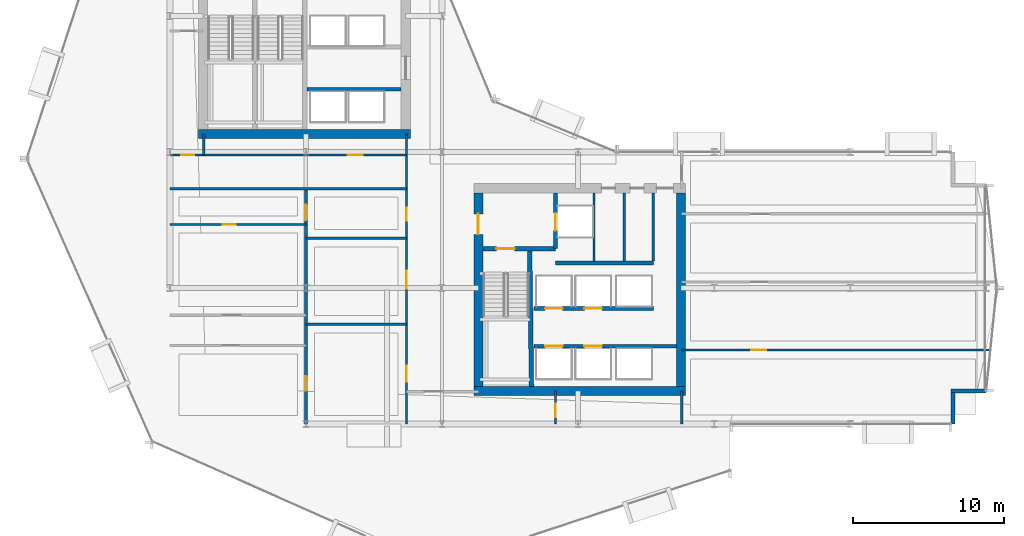
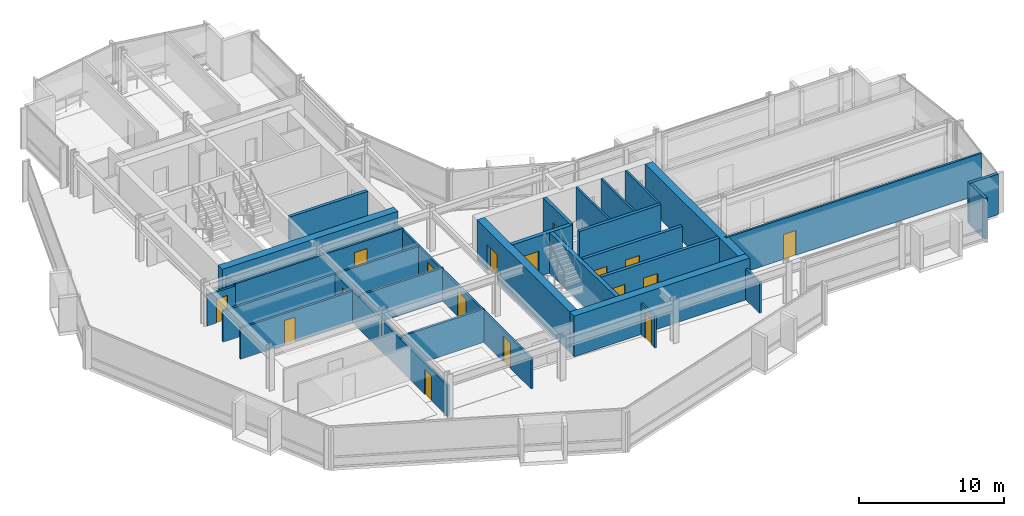
# One storey, part 27 of 34: 28 walls, 17 doors, 17 openings.
"""IFC4 building model written with IfcOpenShell, lengths in metres."""

from ifc_helpers import new_model, si_unit, direction, frame, frame_2d, origin, place, context, subcontext, project, spatial, rectangle, extrude, material, layer, layer_set, type_object, element, fill, save


model = new_model("IFC4")

# Units and contexts
model_context = context("Model", 3, precision=1e-05, world=origin(), true_north=direction((0.0, 1.0)))
body_context = subcontext(model_context, "Body", "Model", "MODEL_VIEW")
ifc_project = project(units=[si_unit("LENGTHUNIT", "METRE"), si_unit("AREAUNIT", "SQUARE_METRE"), si_unit("VOLUMEUNIT", "CUBIC_METRE"), si_unit("PLANEANGLEUNIT", "RADIAN"), si_unit("MASSUNIT", "GRAM", prefix="KILO")], contexts=[model_context])

# Site, building, storey
site_placement = place(None, origin())
site = spatial("IfcSite", under=ifc_project, at=site_placement, CompositionType="ELEMENT")
building_placement = place(site_placement, origin())
building = spatial("IfcBuilding", under=site, at=building_placement, Name="Solvaryn Broadcast Tower", CompositionType="ELEMENT")
storey_placement = place(building_placement, frame((0.0, 0.0, 92.800048828125)))
storey = spatial("IfcBuildingStorey", under=building, at=storey_placement, Name="L22", CompositionType="ELEMENT", Elevation=92.800048828125)

# Walls
ifc_material_1 = material(Name="Concrete f'c 70 MPa", Category="concrete")
ifc_layer_1 = layer(ifc_material_1, 0.60009765625)
ifc_layer_set_1 = layer_set([ifc_layer_1], Name="CW-SHEAR-600")
wall_type_1 = type_object("IfcWallType", Name="CW-SHEAR-600", PredefinedType="SHEAR", material=ifc_layer_set_1)
for number, where, z_axis, x_axis, name in (
    (1, (10.89990234375, 28.199951171875, 0.0), (0.0, 0.0, 1.0), (1.0, 0.0, 0.0), "L22 West Core South Shear Wall"),
    (2, (29.10009765625, 11.199951171875, 0.0), (0.0, 0.0, 1.0), (1.0, 0.0, 0.0), "L22 East Core South Shear Wall"),
):
    element("IfcWall", number, at=place(storey_placement, frame(where, z_axis=z_axis, x_axis=x_axis)), inside=storey, type_object=wall_type_1, Name=name, PredefinedType="SHEAR", context=body_context, shape_type="SweptSolid", body=[
        extrude(rectangle(XDim=14.0, YDim=0.60009765625, at=frame_2d((7.0, 0.0))), origin(), (0.0, 0.0, 1.0), 3.419921875),
    ])

# Wall, opening, door
wall_1_placement = place(storey_placement, frame((29.39990234375, 24.300048828125, 0.0), z_axis=(0.0, 0.0, 1.0), x_axis=(0.0, -1.0, 0.0)))
wall_1 = element("IfcWall", 3, at=wall_1_placement, inside=storey, type_object=wall_type_1, Name="L22 East Core West Shear Wall", PredefinedType="SHEAR", context=body_context, shape_type="SweptSolid", body=[
    extrude(rectangle(XDim=12.800048828125, YDim=0.60009765625, at=frame_2d((6.39990234375, 0.0))), origin(), (0.0, 0.0, 1.0), 3.419921875),
])
opening_1_placement = place(wall_1_placement, frame((1.39990234375, 0.0, 0.0)))
opening_1 = element("IfcOpeningElement", 4, at=opening_1_placement, cuts=wall_1, Name="Opening FD90B", PredefinedType="OPENING", context=body_context, shape_type="SweptSolid", body=[
    extrude(rectangle(XDim=1.35009765625, YDim=2.14990234375, at=frame_2d((0.675048828125, 1.074951171875))), frame((0.0, 0.31005859375, 0.0), z_axis=(0.0, -1.0, 0.0), x_axis=(1.0, 0.0, 0.0)), (0.0, 0.0, 1.0), 0.6201171875),
])
ifc_material_2 = material(Name="Flush Acoustic Steel and Timber Door Assembly", Category="steel")
door_type_1 = type_object("IfcDoorType", Name="FD90-LOBBY-1350X2150", OperationType="NOTDEFINED", PredefinedType="DOOR", material=ifc_material_2)
door_1_placement = place(opening_1_placement, origin())
door_1 = element("IfcDoor", 5, at=door_1_placement, inside=storey, type_object=door_type_1, Name="L22 East FSAE Lobby Door", OperationType="SINGLE_SWING_RIGHT", OverallHeight=2.14990234375, OverallWidth=1.35009765625, PredefinedType="DOOR", context=body_context, shape_type="SweptSolid", body=[
    extrude(rectangle(XDim=1.35009765625, YDim=2.14990234375, at=frame_2d((0.675048828125, 1.074951171875))), frame((0.0, 0.02490234375, 0.0), z_axis=(0.0, -1.0, 0.0), x_axis=(1.0, 0.0, 0.0)), (0.0, 0.0, 1.0), 0.050048828125),
])
fill(opening_1, door_1)

# Walls
wall_2_placement = place(storey_placement, frame((42.800048828125, 11.5, 0.0), z_axis=(0.0, 0.0, 1.0), x_axis=(0.0, 1.0, 0.0)))
element("IfcWall", 6, at=wall_2_placement, inside=storey, type_object=wall_type_1, Name="L22 East Core East Shear Wall", PredefinedType="SHEAR", context=body_context, shape_type="SweptSolid", body=[
    extrude(rectangle(XDim=12.800048828125, YDim=0.60009765625, at=frame_2d((6.39990234375, 0.0))), origin(), (0.0, 0.0, 1.0), 3.419921875),
])
ifc_material_3 = material(Name="Concrete f'c 50 MPa", Category="concrete")
ifc_layer_2 = layer(ifc_material_3, 0.260009765625)
ifc_layer_set_2 = layer_set([ifc_layer_2], Name="EW-PIER-260")
wall_type_2 = type_object("IfcWallType", Name="EW-PIER-260", PredefinedType="SOLIDWALL", material=ifc_layer_set_2)
wall_3_placement = place(storey_placement, frame((60.800048828125, 9.0, 0.0), z_axis=(0.0, 0.0, 1.0), x_axis=(0.0, 1.0, 0.0)))
element("IfcWall", 7, at=wall_3_placement, inside=storey, type_object=wall_type_2, Name="L22 Notched Corner Pier Wall NSE1", PredefinedType="SOLIDWALL", context=body_context, shape_type="SweptSolid", body=[
    extrude(rectangle(XDim=2.080078125, YDim=0.260009765625, at=frame_2d((1.0400390625, 0.0))), origin(), (0.0, 0.0, 1.0), 3.419921875),
])
wall_4_placement = place(storey_placement, frame((60.679931640625, 11.199951171875, 0.0), z_axis=(0.0, 0.0, 1.0), x_axis=(1.0, 0.0, 0.0)))
element("IfcWall", 8, at=wall_4_placement, inside=storey, type_object=wall_type_2, Name="L22 Notched Corner Pier Wall NSE2", PredefinedType="SOLIDWALL", context=body_context, shape_type="SweptSolid", body=[
    extrude(rectangle(XDim=2.320068359375, YDim=0.260009765625, at=frame_2d((1.16015625, 0.0))), origin(), (0.0, 0.0, 1.0), 3.419921875),
])
ifc_material_4 = material(Name="Metal-Stud Service Core Partition")
ifc_layer_3 = layer(ifc_material_4, 0.14990234375)
ifc_layer_set_3 = layer_set([ifc_layer_3], Name="IW-PART-150")
wall_type_3 = type_object("IfcWallType", Name="IW-PART-150", PredefinedType="PARTITIONING", material=ifc_layer_set_3)
for number, where, z_axis, x_axis, name in (
    (9, (37.050048828125, 19.780029296875, 0.0), (0.0, 0.0, 1.0), (0.0, 1.0, 0.0), "L22 Interior Partition IW-L22-CE-FL2E"),
    (10, (39.050048828125, 19.780029296875, 0.0), (0.0, 0.0, 1.0), (0.0, 1.0, 0.0), "L22 Interior Partition IW-L22-CE-V1"),
    (11, (40.97998046875, 19.780029296875, 0.0), (0.0, 0.0, 1.0), (0.0, 1.0, 0.0), "L22 Interior Partition IW-L22-CE-V3"),
):
    element("IfcWall", number, at=place(storey_placement, frame(where, z_axis=z_axis, x_axis=x_axis)), inside=storey, type_object=wall_type_3, Name=name, PredefinedType="PARTITIONING", context=body_context, shape_type="SweptSolid", body=[
        extrude(rectangle(XDim=4.52001953125, YDim=0.14990234375, at=frame_2d((2.260009765625, 0.0))), origin(), (0.0, 0.0, 1.0), 3.419921875),
    ])

# Wall, opening, door
wall_5_placement = place(storey_placement, frame((34.5, 9.0, 0.0), z_axis=(0.0, 0.0, 1.0), x_axis=(0.0, 1.0, 0.0)))
wall_5 = element("IfcWall", 12, at=wall_5_placement, inside=storey, type_object=wall_type_3, Name="L22 Interior Partition IW-L22-SC-V", PredefinedType="PARTITIONING", context=body_context, shape_type="SweptSolid", body=[
    extrude(rectangle(XDim=2.199951171875, YDim=0.14990234375, at=frame_2d((1.10009765625, 0.0))), origin(), (0.0, 0.0, 1.0), 2.626953125),
])
opening_2_placement = place(wall_5_placement, frame((0.449951171875, 0.0, 0.0)))
opening_2 = element("IfcOpeningElement", 13, at=opening_2_placement, cuts=wall_5, Name="Opening FD60C", PredefinedType="OPENING", context=body_context, shape_type="SweptSolid", body=[
    extrude(rectangle(XDim=0.89990234375, YDim=2.10009765625, at=frame_2d((0.449951171875, 1.050048828125))), frame((0.0, 0.0849609375, 0.0), z_axis=(0.0, -1.0, 0.0), x_axis=(1.0, 0.0, 0.0)), (0.0, 0.0, 1.0), 0.169921875),
])
ifc_material_5 = material(Name="Flush Acoustic Steel and Timber Door Assembly", Category="steel")
door_type_2 = type_object("IfcDoorType", Name="FD60-SERV-900X2100", OperationType="NOTDEFINED", PredefinedType="DOOR", material=ifc_material_5)
door_2_placement = place(opening_2_placement, origin())
door_2 = element("IfcDoor", 14, at=door_2_placement, inside=storey, type_object=door_type_2, Name="L22 Door DR-L22-SC1", OperationType="SINGLE_SWING_LEFT", OverallHeight=2.10009765625, OverallWidth=0.89990234375, PredefinedType="DOOR", context=body_context, shape_type="SweptSolid", body=[
    extrude(rectangle(XDim=0.89990234375, YDim=2.10009765625, at=frame_2d((0.449951171875, 1.050048828125))), frame((0.0, 0.02490234375, 0.0), z_axis=(0.0, -1.0, 0.0), x_axis=(1.0, 0.0, 0.0)), (0.0, 0.0, 1.0), 0.050048828125),
])
fill(opening_2, door_2)

ifc_material_6 = material(Name="Metal-Stud Gypsum Office Partition")
ifc_layer_4 = layer(ifc_material_6, 0.159912109375)
ifc_layer_set_4 = layer_set([ifc_layer_4], Name="IW-PART-160")
wall_type_4 = type_object("IfcWallType", Name="IW-PART-160", PredefinedType="PARTITIONING", material=ifc_layer_set_4)
wall_6_placement = place(storey_placement, frame((9.0, 26.800048828125, 0.0), z_axis=(0.0, 0.0, 1.0), x_axis=(1.0, 0.0, 0.0)))
wall_6 = element("IfcWall", 15, at=wall_6_placement, inside=storey, type_object=wall_type_4, Name="L22 Interior Partition IW-L22-WM-S", PredefinedType="PARTITIONING", context=body_context, shape_type="SweptSolid", body=[
    extrude(rectangle(XDim=2.25, YDim=0.159912109375, at=frame_2d((1.125, 0.0))), origin(), (0.0, 0.0, 1.0), 2.626953125),
])
opening_3_placement = place(wall_6_placement, frame((0.75, 0.0, 0.0)))
opening_3 = element("IfcOpeningElement", 16, at=opening_3_placement, cuts=wall_6, Name="Opening ID07", PredefinedType="OPENING", context=body_context, shape_type="SweptSolid", body=[
    extrude(rectangle(XDim=0.860107421875, YDim=2.050048828125, at=frame_2d((0.43017578125, 1.02490234375))), frame((0.0, 0.090087890625, 0.0), z_axis=(0.0, -1.0, 0.0), x_axis=(1.0, 0.0, 0.0)), (0.0, 0.0, 1.0), 0.179931640625),
])
ifc_material_7 = material(Name="Flush Acoustic Steel and Timber Door Assembly", Category="steel")
door_type_3 = type_object("IfcDoorType", Name="ID-07-860X2050", OperationType="NOTDEFINED", PredefinedType="DOOR", material=ifc_material_7)
door_3_placement = place(opening_3_placement, origin())
door_3 = element("IfcDoor", 17, at=door_3_placement, inside=storey, type_object=door_type_3, Name="L22 Door DR-L22-WM0", OperationType="SINGLE_SWING_RIGHT", OverallHeight=2.050048828125, OverallWidth=0.860107421875, PredefinedType="DOOR", context=body_context, shape_type="SweptSolid", body=[
    extrude(rectangle(XDim=0.860107421875, YDim=2.050048828125, at=frame_2d((0.43017578125, 1.02490234375))), frame((0.0, 0.02490234375, 0.0), z_axis=(0.0, -1.0, 0.0), x_axis=(1.0, 0.0, 0.0)), (0.0, 0.0, 1.0), 0.050048828125),
])
fill(opening_3, door_3)

# Wall, openings, doors
wall_7_placement = place(storey_placement, frame((24.64990234375, 9.0, 0.0), z_axis=(0.0, 0.0, 1.0), x_axis=(0.0, 1.0, 0.0)))
wall_7 = element("IfcWall", 18, at=wall_7_placement, inside=storey, type_object=wall_type_4, Name="L22 Interior Partition IW-L22-SW-EB", PredefinedType="PARTITIONING", context=body_context, shape_type="SweptSolid", body=[
    extrude(rectangle(XDim=19.199951171875, YDim=0.159912109375, at=frame_2d((9.60009765625, 0.0))), origin(), (0.0, 0.0, 1.0), 2.626953125),
])
opening_4_placement = place(wall_7_placement, frame((2.800048828125, 0.0, 0.0)))
opening_4 = element("IfcOpeningElement", 19, at=opening_4_placement, cuts=wall_7, Name="Opening ID03", PredefinedType="OPENING", context=body_context, shape_type="SweptSolid", body=[
    extrude(rectangle(XDim=1.050048828125, YDim=2.14990234375, at=frame_2d((0.52490234375, 1.074951171875))), frame((0.0, 0.090087890625, 0.0), z_axis=(0.0, -1.0, 0.0), x_axis=(1.0, 0.0, 0.0)), (0.0, 0.0, 1.0), 0.179931640625),
])
opening_5_placement = place(wall_7_placement, frame((8.949951171875, 0.0, 0.0)))
opening_5 = element("IfcOpeningElement", 20, at=opening_5_placement, cuts=wall_7, Name="Opening ID04", PredefinedType="OPENING", context=body_context, shape_type="SweptSolid", body=[
    extrude(rectangle(XDim=1.199951171875, YDim=2.14990234375, at=frame_2d((0.60009765625, 1.074951171875))), frame((0.0, 0.090087890625, 0.0), z_axis=(0.0, -1.0, 0.0), x_axis=(1.0, 0.0, 0.0)), (0.0, 0.0, 1.0), 0.179931640625),
])
opening_6_placement = place(wall_7_placement, frame((13.43994140625, 0.0, 0.0)))
opening_6 = element("IfcOpeningElement", 21, at=opening_6_placement, cuts=wall_7, Name="Opening ID07", PredefinedType="OPENING", context=body_context, shape_type="SweptSolid", body=[
    extrude(rectangle(XDim=0.860107421875, YDim=2.050048828125, at=frame_2d((0.43017578125, 1.02490234375))), frame((0.0, 0.090087890625, 0.0), z_axis=(0.0, -1.0, 0.0), x_axis=(1.0, 0.0, 0.0)), (0.0, 0.0, 1.0), 0.179931640625),
])
ifc_material_8 = material(Name="Flush Acoustic Steel and Timber Door Assembly", Category="steel")
door_type_4 = type_object("IfcDoorType", Name="ID-03-1050X2150", OperationType="NOTDEFINED", PredefinedType="DOOR", material=ifc_material_8)
door_4_placement = place(opening_4_placement, origin())
door_4 = element("IfcDoor", 22, at=door_4_placement, inside=storey, type_object=door_type_4, Name="L22 Door DR-L22-SWE-1", OperationType="SINGLE_SWING_LEFT", OverallHeight=2.14990234375, OverallWidth=1.050048828125, PredefinedType="DOOR", context=body_context, shape_type="SweptSolid", body=[
    extrude(rectangle(XDim=1.050048828125, YDim=2.14990234375, at=frame_2d((0.52490234375, 1.074951171875))), frame((0.0, 0.02490234375, 0.0), z_axis=(0.0, -1.0, 0.0), x_axis=(1.0, 0.0, 0.0)), (0.0, 0.0, 1.0), 0.050048828125),
])
fill(opening_4, door_4)
ifc_material_9 = material(Name="Flush Acoustic Steel and Timber Door Assembly", Category="steel")
door_type_5 = type_object("IfcDoorType", Name="ID-04-1200X2150", OperationType="NOTDEFINED", PredefinedType="DOOR", material=ifc_material_9)
door_5_placement = place(opening_5_placement, origin())
door_5 = element("IfcDoor", 23, at=door_5_placement, inside=storey, type_object=door_type_5, Name="L22 Door DR-L22-SWE-2", OperationType="SINGLE_SWING_RIGHT", OverallHeight=2.14990234375, OverallWidth=1.199951171875, PredefinedType="DOOR", context=body_context, shape_type="SweptSolid", body=[
    extrude(rectangle(XDim=1.199951171875, YDim=2.14990234375, at=frame_2d((0.60009765625, 1.074951171875))), frame((0.0, 0.02490234375, 0.0), z_axis=(0.0, -1.0, 0.0), x_axis=(1.0, 0.0, 0.0)), (0.0, 0.0, 1.0), 0.050048828125),
])
fill(opening_5, door_5)
door_6_placement = place(opening_6_placement, origin())
door_6 = element("IfcDoor", 24, at=door_6_placement, inside=storey, type_object=door_type_3, Name="L22 Door DR-L22-SWE-3", OperationType="SINGLE_SWING_LEFT", OverallHeight=2.050048828125, OverallWidth=0.860107421875, PredefinedType="DOOR", context=body_context, shape_type="SweptSolid", body=[
    extrude(rectangle(XDim=0.860107421875, YDim=2.050048828125, at=frame_2d((0.43017578125, 1.02490234375))), frame((0.0, 0.02490234375, 0.0), z_axis=(0.0, -1.0, 0.0), x_axis=(1.0, 0.0, 0.0)), (0.0, 0.0, 1.0), 0.050048828125),
])
fill(opening_6, door_6)

# Wall
wall_8_placement = place(storey_placement, frame((9.0, 24.580078125, 0.0), z_axis=(0.0, 0.0, 1.0), x_axis=(1.0, 0.0, 0.0)))
element("IfcWall", 25, at=wall_8_placement, inside=storey, type_object=wall_type_4, Name="L22 Interior Partition IW-L22-SW-NB", PredefinedType="PARTITIONING", context=body_context, shape_type="SweptSolid", body=[
    extrude(rectangle(XDim=15.64990234375, YDim=0.159912109375, at=frame_2d((7.824951171875, 0.0))), origin(), (0.0, 0.0, 1.0), 2.626953125),
])

# Wall, opening, door
wall_9_placement = place(storey_placement, frame((11.25, 26.800048828125, 0.0), z_axis=(0.0, 0.0, 1.0), x_axis=(1.0, 0.0, 0.0)))
wall_9 = element("IfcWall", 26, at=wall_9_placement, inside=storey, type_object=wall_type_4, Name="L22 Interior Partition IW-L22-SW-N2", PredefinedType="PARTITIONING", context=body_context, shape_type="SweptSolid", body=[
    extrude(rectangle(XDim=13.39990234375, YDim=0.159912109375, at=frame_2d((6.699951171875, 0.0))), origin(), (0.0, 0.0, 1.0), 2.7890625),
])
opening_7_placement = place(wall_9_placement, frame((9.5, 0.0, 0.0)))
opening_7 = element("IfcOpeningElement", 27, at=opening_7_placement, cuts=wall_9, Name="Opening ID02", PredefinedType="OPENING", context=body_context, shape_type="SweptSolid", body=[
    extrude(rectangle(XDim=1.0, YDim=2.10009765625, at=frame_2d((0.5, 1.050048828125))), frame((0.0, 0.090087890625, 0.0), z_axis=(0.0, -1.0, 0.0), x_axis=(1.0, 0.0, 0.0)), (0.0, 0.0, 1.0), 0.179931640625),
])
ifc_material_10 = material(Name="Flush Acoustic Steel and Timber Door Assembly", Category="steel")
door_type_6 = type_object("IfcDoorType", Name="ID-02-1000X2100", OperationType="NOTDEFINED", PredefinedType="DOOR", material=ifc_material_10)
door_7_placement = place(opening_7_placement, origin())
door_7 = element("IfcDoor", 28, at=door_7_placement, inside=storey, type_object=door_type_6, Name="L22 Door DR-L22-SW-ALC", OperationType="SINGLE_SWING_RIGHT", OverallHeight=2.10009765625, OverallWidth=1.0, PredefinedType="DOOR", context=body_context, shape_type="SweptSolid", body=[
    extrude(rectangle(XDim=1.0, YDim=2.10009765625, at=frame_2d((0.5, 1.050048828125))), frame((0.0, 0.02490234375, 0.0), z_axis=(0.0, -1.0, 0.0), x_axis=(1.0, 0.0, 0.0)), (0.0, 0.0, 1.0), 0.050048828125),
])
fill(opening_7, door_7)

# Walls
wall_10_placement = place(storey_placement, frame((11.25, 26.800048828125, 0.0), z_axis=(0.0, 0.0, 1.0), x_axis=(0.0, 1.0, 0.0)))
element("IfcWall", 29, at=wall_10_placement, inside=storey, type_object=wall_type_4, Name="L22 Interior Partition IW-L22-SW-ALW", PredefinedType="PARTITIONING", context=body_context, shape_type="SweptSolid", body=[
    extrude(rectangle(XDim=1.39990234375, YDim=0.159912109375, at=frame_2d((0.699951171875, 0.0))), origin(), (0.0, 0.0, 1.0), 2.7890625),
])
for number, where, z_axis, x_axis, name in (
    (30, (18.0, 15.60009765625, 0.0), (0.0, 0.0, 1.0), (1.0, 0.0, 0.0), "L22 Interior Partition IW-L22-SWE-H1"),
    (31, (18.0, 21.300048828125, 0.0), (0.0, 0.0, 1.0), (1.0, 0.0, 0.0), "L22 Interior Partition IW-L22-SWE-H2"),
):
    element("IfcWall", number, at=place(storey_placement, frame(where, z_axis=z_axis, x_axis=x_axis)), inside=storey, type_object=wall_type_4, Name=name, PredefinedType="PARTITIONING", context=body_context, shape_type="SweptSolid", body=[
        extrude(rectangle(XDim=6.64990234375, YDim=0.159912109375, at=frame_2d((3.324951171875, 0.0))), origin(), (0.0, 0.0, 1.0), 2.7919921875),
    ])

# Wall, opening, door
wall_11_placement = place(storey_placement, frame((9.0, 22.199951171875, 0.0), z_axis=(0.0, 0.0, 1.0), x_axis=(1.0, 0.0, 0.0)))
wall_11 = element("IfcWall", 32, at=wall_11_placement, inside=storey, type_object=wall_type_4, Name="L22 Interior Partition IW-L22-SWW-H3", PredefinedType="PARTITIONING", context=body_context, shape_type="SweptSolid", body=[
    extrude(rectangle(XDim=9.0, YDim=0.159912109375, at=frame_2d((4.5, 0.0))), origin(), (0.0, 0.0, 1.0), 2.626953125),
])
opening_8_placement = place(wall_11_placement, frame((3.5, 0.0, 0.0)))
opening_8 = element("IfcOpeningElement", 33, at=opening_8_placement, cuts=wall_11, Name="Opening ID07", PredefinedType="OPENING", context=body_context, shape_type="SweptSolid", body=[
    extrude(rectangle(XDim=0.860107421875, YDim=2.050048828125, at=frame_2d((0.43017578125, 1.02490234375))), frame((0.0, 0.090087890625, 0.0), z_axis=(0.0, -1.0, 0.0), x_axis=(1.0, 0.0, 0.0)), (0.0, 0.0, 1.0), 0.179931640625),
])
door_8_placement = place(opening_8_placement, origin())
door_8 = element("IfcDoor", 34, at=door_8_placement, inside=storey, type_object=door_type_3, Name="L22 Door DR-L22-SWW-3", OperationType="SINGLE_SWING_RIGHT", OverallHeight=2.050048828125, OverallWidth=0.860107421875, PredefinedType="DOOR", context=body_context, shape_type="SweptSolid", body=[
    extrude(rectangle(XDim=0.860107421875, YDim=2.050048828125, at=frame_2d((0.43017578125, 1.02490234375))), frame((0.0, 0.02490234375, 0.0), z_axis=(0.0, -1.0, 0.0), x_axis=(1.0, 0.0, 0.0)), (0.0, 0.0, 1.0), 0.050048828125),
])
fill(opening_8, door_8)

# Wall
wall_12_placement = place(storey_placement, frame((42.85009765625, 9.0, 0.0), z_axis=(0.0, 0.0, 1.0), x_axis=(0.0, 1.0, 0.0)))
element("IfcWall", 35, at=wall_12_placement, inside=storey, type_object=wall_type_4, Name="L22 Interior Partition IW-L22-SC-E", PredefinedType="PARTITIONING", context=body_context, shape_type="SweptSolid", body=[
    extrude(rectangle(XDim=2.199951171875, YDim=0.159912109375, at=frame_2d((1.10009765625, 0.0))), origin(), (0.0, 0.0, 1.0), 2.626953125),
])

# Wall, opening, door
wall_13_placement = place(storey_placement, frame((42.85009765625, 13.89990234375, 0.0), z_axis=(0.0, 0.0, 1.0), x_axis=(1.0, 0.0, 0.0)))
wall_13 = element("IfcWall", 36, at=wall_13_placement, inside=storey, type_object=wall_type_4, Name="L22 Interior Partition IW-L22-EW-H1", PredefinedType="PARTITIONING", context=body_context, shape_type="SweptSolid", body=[
    extrude(rectangle(XDim=20.427978515625, YDim=0.159912109375, at=frame_2d((10.2138671875, 0.0))), origin(), (0.0, 0.0, 1.0), 3.419921875),
])
opening_9_placement = place(wall_13_placement, frame((4.60009765625, 0.0, 0.0)))
opening_9 = element("IfcOpeningElement", 37, at=opening_9_placement, cuts=wall_13, Name="Opening ID02", PredefinedType="OPENING", context=body_context, shape_type="SweptSolid", body=[
    extrude(rectangle(XDim=1.0, YDim=2.10009765625, at=frame_2d((0.5, 1.050048828125))), frame((0.0, 0.090087890625, 0.0), z_axis=(0.0, -1.0, 0.0), x_axis=(1.0, 0.0, 0.0)), (0.0, 0.0, 1.0), 0.179931640625),
])
door_9_placement = place(opening_9_placement, origin())
door_9 = element("IfcDoor", 38, at=door_9_placement, inside=storey, type_object=door_type_6, Name="L22 Door DR-L22-EW-1", OperationType="SINGLE_SWING_LEFT", OverallHeight=2.10009765625, OverallWidth=1.0, PredefinedType="DOOR", context=body_context, shape_type="SweptSolid", body=[
    extrude(rectangle(XDim=1.0, YDim=2.10009765625, at=frame_2d((0.5, 1.050048828125))), frame((0.0, 0.02490234375, 0.0), z_axis=(0.0, -1.0, 0.0), x_axis=(1.0, 0.0, 0.0)), (0.0, 0.0, 1.0), 0.050048828125),
])
fill(opening_9, door_9)

# Wall, openings, doors
ifc_material_11 = material(Name="Acoustic Metal-Stud Gypsum Partition")
ifc_layer_5 = layer(ifc_material_11, 0.179931640625)
ifc_layer_set_5 = layer_set([ifc_layer_5], Name="IW-PART-180")
wall_type_5 = type_object("IfcWallType", Name="IW-PART-180", PredefinedType="PARTITIONING", material=ifc_layer_set_5)
wall_14_placement = place(storey_placement, frame((18.0, 9.0, 0.0), z_axis=(0.0, 0.0, 1.0), x_axis=(0.0, 1.0, 0.0)))
wall_14 = element("IfcWall", 39, at=wall_14_placement, inside=storey, type_object=wall_type_5, Name="L22 Interior Partition IW-L22-SW-VX", PredefinedType="PARTITIONING", context=body_context, shape_type="SweptSolid", body=[
    extrude(rectangle(XDim=15.580078125, YDim=0.179931640625, at=frame_2d((7.7900390625, 0.0))), origin(), (0.0, 0.0, 1.0), 2.626953125),
])
opening_10_placement = place(wall_14_placement, frame((2.199951171875, 0.0, 0.0)))
opening_10 = element("IfcOpeningElement", 40, at=opening_10_placement, cuts=wall_14, Name="Opening ID01", PredefinedType="OPENING", context=body_context, shape_type="SweptSolid", body=[
    extrude(rectangle(XDim=0.949951171875, YDim=2.10009765625, at=frame_2d((0.47509765625, 1.050048828125))), frame((0.0, 0.099853515625, 0.0), z_axis=(0.0, -1.0, 0.0), x_axis=(1.0, 0.0, 0.0)), (0.0, 0.0, 1.0), 0.199951171875),
])
opening_11_placement = place(wall_14_placement, frame((13.5, 0.0, 0.0)))
opening_11 = element("IfcOpeningElement", 41, at=opening_11_placement, cuts=wall_14, Name="Opening ID02", PredefinedType="OPENING", context=body_context, shape_type="SweptSolid", body=[
    extrude(rectangle(XDim=1.0, YDim=2.10009765625, at=frame_2d((0.5, 1.050048828125))), frame((0.0, 0.099853515625, 0.0), z_axis=(0.0, -1.0, 0.0), x_axis=(1.0, 0.0, 0.0)), (0.0, 0.0, 1.0), 0.199951171875),
])
ifc_material_12 = material(Name="Flush Acoustic Steel and Timber Door Assembly", Category="steel")
door_type_7 = type_object("IfcDoorType", Name="ID-01-950X2100", OperationType="NOTDEFINED", PredefinedType="DOOR", material=ifc_material_12)
door_10_placement = place(opening_10_placement, origin())
door_10 = element("IfcDoor", 42, at=door_10_placement, inside=storey, type_object=door_type_7, Name="L22 Door DR-L22-SWW-X1", OperationType="SINGLE_SWING_RIGHT", OverallHeight=2.10009765625, OverallWidth=0.949951171875, PredefinedType="DOOR", context=body_context, shape_type="SweptSolid", body=[
    extrude(rectangle(XDim=0.949951171875, YDim=2.10009765625, at=frame_2d((0.47509765625, 1.050048828125))), frame((0.0, 0.02490234375, 0.0), z_axis=(0.0, -1.0, 0.0), x_axis=(1.0, 0.0, 0.0)), (0.0, 0.0, 1.0), 0.050048828125),
])
fill(opening_10, door_10)
door_11_placement = place(opening_11_placement, origin())
door_11 = element("IfcDoor", 43, at=door_11_placement, inside=storey, type_object=door_type_6, Name="L22 Door DR-L22-SWW-X2", OperationType="SINGLE_SWING_LEFT", OverallHeight=2.10009765625, OverallWidth=1.0, PredefinedType="DOOR", context=body_context, shape_type="SweptSolid", body=[
    extrude(rectangle(XDim=1.0, YDim=2.10009765625, at=frame_2d((0.5, 1.050048828125))), frame((0.0, 0.02490234375, 0.0), z_axis=(0.0, -1.0, 0.0), x_axis=(1.0, 0.0, 0.0)), (0.0, 0.0, 1.0), 0.050048828125),
])
fill(opening_11, door_11)

# Wall
ifc_material_13 = material(Name="Concrete f'c 60 MPa", Category="concrete")
ifc_layer_6 = layer(ifc_material_13, 0.25)
ifc_layer_set_6 = layer_set([ifc_layer_6], Name="SW-SHAFT-250")
wall_type_6 = type_object("IfcWallType", Name="SW-SHAFT-250", PredefinedType="PARTITIONING", material=ifc_layer_set_6)
wall_15_placement = place(storey_placement, frame((18.070068359375, 31.14990234375, 0.0), z_axis=(0.0, 0.0, 1.0), x_axis=(1.0, 0.0, 0.0)))
element("IfcWall", 44, at=wall_15_placement, inside=storey, type_object=wall_type_6, Name="L22 High-Rise Lift Bank South Wall", PredefinedType="PARTITIONING", context=body_context, shape_type="SweptSolid", body=[
    extrude(rectangle(XDim=6.22998046875, YDim=0.25, at=frame_2d((3.114990234375, 0.0))), origin(), (0.0, 0.0, 1.0), 3.419921875),
])

# Wall, opening, door
wall_16_placement = place(storey_placement, frame((34.5, 20.60009765625, 0.0), z_axis=(0.0, 0.0, 1.0), x_axis=(0.0, 1.0, 0.0)))
wall_16 = element("IfcWall", 45, at=wall_16_placement, inside=storey, type_object=wall_type_6, Name="L22 East FSAE Lobby East Wall", PredefinedType="PARTITIONING", context=body_context, shape_type="SweptSolid", body=[
    extrude(rectangle(XDim=3.699951171875, YDim=0.25, at=frame_2d((1.85009765625, 0.0))), origin(), (0.0, 0.0, 1.0), 3.419921875),
])
opening_12_placement = place(wall_16_placement, frame((1.199951171875, 0.0, 0.0)))
opening_12 = element("IfcOpeningElement", 46, at=opening_12_placement, cuts=wall_16, Name="Opening LD01", PredefinedType="OPENING", context=body_context, shape_type="SweptSolid", body=[
    extrude(rectangle(XDim=1.14990234375, YDim=2.14990234375, at=frame_2d((0.574951171875, 1.074951171875))), frame((0.0, 0.135009765625, 0.0), z_axis=(0.0, -1.0, 0.0), x_axis=(1.0, 0.0, 0.0)), (0.0, 0.0, 1.0), 0.27001953125),
])
ifc_material_14 = material(Name="Flush Acoustic Steel and Timber Door Assembly", Category="steel")
door_type_8 = type_object("IfcDoorType", Name="LD-LIFT-1150X2150", OperationType="NOTDEFINED", PredefinedType="DOOR", material=ifc_material_14)
door_12_placement = place(opening_12_placement, origin())
door_12 = element("IfcDoor", 47, at=door_12_placement, inside=storey, type_object=door_type_8, Name="L22 FL2 Lift Landing Door", OperationType="DOUBLE_DOOR_SLIDING", OverallHeight=2.14990234375, OverallWidth=1.14990234375, PredefinedType="DOOR", context=body_context, shape_type="SweptSolid", body=[
    extrude(rectangle(XDim=1.14990234375, YDim=2.14990234375, at=frame_2d((0.574951171875, 1.074951171875))), frame((0.0, 0.02490234375, 0.0), z_axis=(0.0, -1.0, 0.0), x_axis=(1.0, 0.0, 0.0)), (0.0, 0.0, 1.0), 0.050048828125),
])
fill(opening_12, door_12)

# Wall
wall_17_placement = place(storey_placement, frame((34.5, 19.64990234375, 0.0), z_axis=(0.0, 0.0, 1.0), x_axis=(1.0, 0.0, 0.0)))
element("IfcWall", 48, at=wall_17_placement, inside=storey, type_object=wall_type_6, Name="L22 East Core Restroom South Wall", PredefinedType="PARTITIONING", context=body_context, shape_type="SweptSolid", body=[
    extrude(rectangle(XDim=6.47998046875, YDim=0.25, at=frame_2d((3.239990234375, 0.0))), origin(), (0.0, 0.0, 1.0), 3.419921875),
])

# Wall, openings, doors
wall_18_placement = place(storey_placement, frame((33.070068359375, 14.14990234375, 0.0), z_axis=(0.0, 0.0, 1.0), x_axis=(1.0, 0.0, 0.0)))
wall_18 = element("IfcWall", 49, at=wall_18_placement, inside=storey, type_object=wall_type_6, Name="L22 East Lift Bank South Wall", PredefinedType="PARTITIONING", context=body_context, shape_type="SweptSolid", body=[
    extrude(rectangle(XDim=9.429931640625, YDim=0.25, at=frame_2d((4.71484375, 0.0))), origin(), (0.0, 0.0, 1.0), 3.419921875),
])
opening_13_placement = place(wall_18_placement, frame((0.7548828125, 0.0, 0.0)))
opening_13 = element("IfcOpeningElement", 50, at=opening_13_placement, cuts=wall_18, Name="Opening LD01", PredefinedType="OPENING", context=body_context, shape_type="SweptSolid", body=[
    extrude(rectangle(XDim=1.14990234375, YDim=2.14990234375, at=frame_2d((0.574951171875, 1.074951171875))), frame((0.0, 0.135009765625, 0.0), z_axis=(0.0, -1.0, 0.0), x_axis=(1.0, 0.0, 0.0)), (0.0, 0.0, 1.0), 0.27001953125),
])
opening_14_placement = place(wall_18_placement, frame((3.35498046875, 0.0, 0.0)))
opening_14 = element("IfcOpeningElement", 51, at=opening_14_placement, cuts=wall_18, Name="Opening LD01", PredefinedType="OPENING", context=body_context, shape_type="SweptSolid", body=[
    extrude(rectangle(XDim=1.14990234375, YDim=2.14990234375, at=frame_2d((0.574951171875, 1.074951171875))), frame((0.0, 0.135009765625, 0.0), z_axis=(0.0, -1.0, 0.0), x_axis=(1.0, 0.0, 0.0)), (0.0, 0.0, 1.0), 0.27001953125),
])
door_13_placement = place(opening_13_placement, origin())
door_13 = element("IfcDoor", 52, at=door_13_placement, inside=storey, type_object=door_type_8, Name="L22 PL1 Lift Landing Door", OperationType="DOUBLE_DOOR_SLIDING", OverallHeight=2.14990234375, OverallWidth=1.14990234375, PredefinedType="DOOR", context=body_context, shape_type="SweptSolid", body=[
    extrude(rectangle(XDim=1.14990234375, YDim=2.14990234375, at=frame_2d((0.574951171875, 1.074951171875))), frame((0.0, 0.02490234375, 0.0), z_axis=(0.0, -1.0, 0.0), x_axis=(1.0, 0.0, 0.0)), (0.0, 0.0, 1.0), 0.050048828125),
])
fill(opening_13, door_13)
door_14_placement = place(opening_14_placement, origin())
door_14 = element("IfcDoor", 53, at=door_14_placement, inside=storey, type_object=door_type_8, Name="L22 PL2 Lift Landing Door", OperationType="DOUBLE_DOOR_SLIDING", OverallHeight=2.14990234375, OverallWidth=1.14990234375, PredefinedType="DOOR", context=body_context, shape_type="SweptSolid", body=[
    extrude(rectangle(XDim=1.14990234375, YDim=2.14990234375, at=frame_2d((0.574951171875, 1.074951171875))), frame((0.0, 0.02490234375, 0.0), z_axis=(0.0, -1.0, 0.0), x_axis=(1.0, 0.0, 0.0)), (0.0, 0.0, 1.0), 0.050048828125),
])
fill(opening_14, door_14)

wall_19_placement = place(storey_placement, frame((40.97998046875, 16.64990234375, 0.0), z_axis=(0.0, 0.0, 1.0), x_axis=(-1.0, 0.0, 0.0)))
wall_19 = element("IfcWall", 54, at=wall_19_placement, inside=storey, type_object=wall_type_6, Name="L22 East Lift Bank North Wall", PredefinedType="PARTITIONING", context=body_context, shape_type="SweptSolid", body=[
    extrude(rectangle(XDim=7.909912109375, YDim=0.25, at=frame_2d((3.955078125, 0.0))), origin(), (0.0, 0.0, 1.0), 3.419921875),
])
opening_15_placement = place(wall_19_placement, frame((6.0048828125, 0.0, 0.0)))
opening_15 = element("IfcOpeningElement", 55, at=opening_15_placement, cuts=wall_19, Name="Opening LD01", PredefinedType="OPENING", context=body_context, shape_type="SweptSolid", body=[
    extrude(rectangle(XDim=1.14990234375, YDim=2.14990234375, at=frame_2d((0.574951171875, 1.074951171875))), frame((0.0, 0.135009765625, 0.0), z_axis=(0.0, -1.0, 0.0), x_axis=(1.0, 0.0, 0.0)), (0.0, 0.0, 1.0), 0.27001953125),
])
opening_16_placement = place(wall_19_placement, frame((3.405029296875, 0.0, 0.0)))
opening_16 = element("IfcOpeningElement", 56, at=opening_16_placement, cuts=wall_19, Name="Opening LD01", PredefinedType="OPENING", context=body_context, shape_type="SweptSolid", body=[
    extrude(rectangle(XDim=1.14990234375, YDim=2.14990234375, at=frame_2d((0.574951171875, 1.074951171875))), frame((0.0, 0.135009765625, 0.0), z_axis=(0.0, -1.0, 0.0), x_axis=(1.0, 0.0, 0.0)), (0.0, 0.0, 1.0), 0.27001953125),
])
door_15_placement = place(opening_15_placement, origin())
door_15 = element("IfcDoor", 57, at=door_15_placement, inside=storey, type_object=door_type_8, Name="L22 PL3 Lift Landing Door", OperationType="DOUBLE_DOOR_SLIDING", OverallHeight=2.14990234375, OverallWidth=1.14990234375, PredefinedType="DOOR", context=body_context, shape_type="SweptSolid", body=[
    extrude(rectangle(XDim=1.14990234375, YDim=2.14990234375, at=frame_2d((0.574951171875, 1.074951171875))), frame((0.0, 0.02490234375, 0.0), z_axis=(0.0, -1.0, 0.0), x_axis=(1.0, 0.0, 0.0)), (0.0, 0.0, 1.0), 0.050048828125),
])
fill(opening_15, door_15)
door_16_placement = place(opening_16_placement, origin())
door_16 = element("IfcDoor", 58, at=door_16_placement, inside=storey, type_object=door_type_8, Name="L22 PL4 Lift Landing Door", OperationType="DOUBLE_DOOR_SLIDING", OverallHeight=2.14990234375, OverallWidth=1.14990234375, PredefinedType="DOOR", context=body_context, shape_type="SweptSolid", body=[
    extrude(rectangle(XDim=1.14990234375, YDim=2.14990234375, at=frame_2d((0.574951171875, 1.074951171875))), frame((0.0, 0.02490234375, 0.0), z_axis=(0.0, -1.0, 0.0), x_axis=(1.0, 0.0, 0.0)), (0.0, 0.0, 1.0), 0.050048828125),
])
fill(opening_16, door_16)

# Wall
ifc_material_15 = material(Name="Concrete f'c 70 MPa", Category="concrete")
ifc_layer_7 = layer(ifc_material_15, 0.300048828125)
ifc_layer_set_7 = layer_set([ifc_layer_7], Name="SW-SHAFT-300")
wall_type_7 = type_object("IfcWallType", Name="SW-SHAFT-300", PredefinedType="SHEAR", material=ifc_layer_set_7)
wall_20_placement = place(storey_placement, frame((32.919921875, 11.5, 0.0), z_axis=(0.0, 0.0, 1.0), x_axis=(-0.013244407292, 0.999912288991, 0.0)))
element("IfcWall", 59, at=wall_20_placement, inside=storey, type_object=wall_type_7, Name="L22 Stair 3 East Shear Wall", PredefinedType="SHEAR", context=body_context, shape_type="SweptSolid", body=[
    extrude(rectangle(XDim=9.05078125, YDim=0.300048828125, at=frame_2d((4.525390625, 0.0))), origin(), (0.0, 0.0, 1.0), 3.419921875),
])

# Wall, opening, door
wall_21_placement = place(storey_placement, frame((34.5, 20.60009765625, 0.0), z_axis=(0.0, 0.0, 1.0), x_axis=(-1.0, 0.0, 0.0)))
wall_21 = element("IfcWall", 60, at=wall_21_placement, inside=storey, type_object=wall_type_7, Name="L22 East FSAE Lobby South Wall", PredefinedType="SHEAR", context=body_context, shape_type="SweptSolid", body=[
    extrude(rectangle(XDim=4.800048828125, YDim=0.300048828125, at=frame_2d((2.39990234375, 0.0))), origin(), (0.0, 0.0, 1.0), 3.419921875),
])
opening_17_placement = place(wall_21_placement, frame((2.699951171875, 0.0, 0.0)))
opening_17 = element("IfcOpeningElement", 61, at=opening_17_placement, cuts=wall_21, Name="Opening FD90A", PredefinedType="OPENING", context=body_context, shape_type="SweptSolid", body=[
    extrude(rectangle(XDim=1.199951171875, YDim=2.14990234375, at=frame_2d((0.60009765625, 1.074951171875))), frame((0.0, 0.159912109375, 0.0), z_axis=(0.0, -1.0, 0.0), x_axis=(1.0, 0.0, 0.0)), (0.0, 0.0, 1.0), 0.320068359375),
])
ifc_material_16 = material(Name="Flush Acoustic Steel and Timber Door Assembly", Category="steel")
door_type_9 = type_object("IfcDoorType", Name="FD90-STAIR-1200X2150", OperationType="NOTDEFINED", PredefinedType="DOOR", material=ifc_material_16)
door_17_placement = place(opening_17_placement, origin())
door_17 = element("IfcDoor", 62, at=door_17_placement, inside=storey, type_object=door_type_9, Name="L22 Stair 3 Fire Door", OperationType="SINGLE_SWING_LEFT", OverallHeight=2.14990234375, OverallWidth=1.199951171875, PredefinedType="DOOR", context=body_context, shape_type="SweptSolid", body=[
    extrude(rectangle(XDim=1.199951171875, YDim=2.14990234375, at=frame_2d((0.60009765625, 1.074951171875))), frame((0.0, 0.02490234375, 0.0), z_axis=(0.0, -1.0, 0.0), x_axis=(1.0, 0.0, 0.0)), (0.0, 0.0, 1.0), 0.050048828125),
])
fill(opening_17, door_17)

save(model, "model.ifc")
